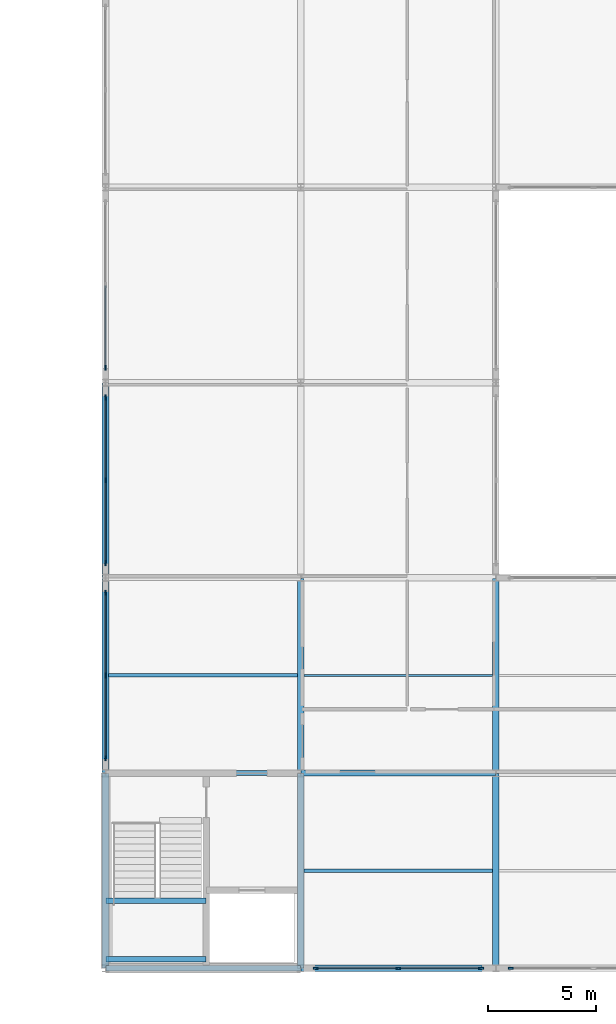
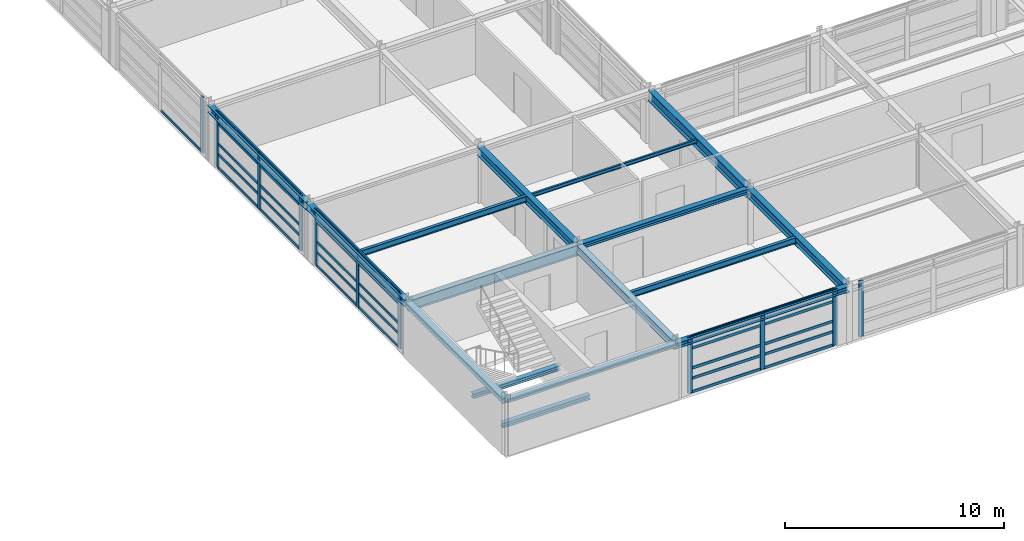
# One storey, part 20 of 91: 42 members, 16 beams, 5 elements without a shape of their own.
"""IFC4 building model written with IfcOpenShell, lengths in metres."""

from ifc_helpers import new_model, si_unit, direction, frame, origin, origin_2d, place, context, subcontext, project, spatial, rectangle, i_section, extrude, material, material_profile, profile_set, type_object, element, aggregate, save


model = new_model("IFC4")

# Units and contexts
model_context = context("Model", 3, precision=1e-05, world=origin(), true_north=direction((0.0, 1.0)))
body_context = subcontext(model_context, "Body", "Model", "MODEL_VIEW")
ifc_project = project(units=[si_unit("LENGTHUNIT", "METRE"), si_unit("AREAUNIT", "SQUARE_METRE"), si_unit("VOLUMEUNIT", "CUBIC_METRE"), si_unit("PLANEANGLEUNIT", "RADIAN"), si_unit("MASSUNIT", "GRAM", prefix="KILO")], contexts=[model_context])

# Site, building, storey
site_placement = place(None, origin())
site = spatial("IfcSite", under=ifc_project, at=site_placement, CompositionType="ELEMENT")
building_placement = place(site_placement, origin())
building = spatial("IfcBuilding", under=site, at=building_placement, Name="Palais des Congres Ocreval", CompositionType="ELEMENT")
storey_placement = place(building_placement, frame((0.0, 0.0, 8.159912109375)))
storey = spatial("IfcBuildingStorey", under=building, at=storey_placement, Name="L02", CompositionType="ELEMENT", Elevation=8.159912109375)

# Beam
ifc_material_1 = material(Name="Steel S355", Category="steel")
ifc_material_profile_1 = material_profile(ifc_material_1, i_section(OverallWidth=0.219970703125, OverallDepth=0.60009765625, WebThickness=0.011962890625, FlangeThickness=0.01904296875, at=origin_2d()), Name="IPE 600")
ifc_profile_set_1 = profile_set([ifc_material_profile_1], Name="Steel S355")
beam_type_1 = type_object("IfcBeamType", Name="Composite Beam IPE 600 Steel S355", PredefinedType="BEAM", material=ifc_profile_set_1)
beam_1_placement = place(storey_placement, frame((108.02001953125, 9.0, 2.800048828125), z_axis=(1.0, 0.0, 0.0), x_axis=(0.0, 1.0, 0.0)))
element("IfcBeam", 1, at=beam_1_placement, inside=storey, type_object=beam_type_1, Name="Beam B06 L02", PredefinedType="BEAM", context=body_context, shape_type="SweptSolid", body=[
    extrude(i_section(OverallWidth=0.219970703125, OverallDepth=0.60009765625, WebThickness=0.011962890625, FlangeThickness=0.01904296875, at=origin_2d()), origin(), (0.0, 0.0, 1.0), 8.9599609375),
])

# Curtain wall, member
ifc_material_2 = material(Name="Anodized bronze aluminium and low-E glass", Category="glass")
curtain_wall_type = type_object("IfcCurtainWallType", Name="Unitised Curtain Wall 7900x3120", PredefinedType="USERDEFINED", material=ifc_material_2)
curtain_wall_1_placement = place(storey_placement, origin())
curtain_wall_1 = element("IfcCurtainWall", 2, at=curtain_wall_1_placement, inside=storey, type_object=curtain_wall_type, Name="Unitised Curtain Wall CW03 L02", ObjectType="UNITISED CURTAIN WALL", PredefinedType="USERDEFINED")
ifc_material_3 = material(Name="Anodized bronze aluminium", Category="aluminium")
ifc_material_profile_2 = material_profile(ifc_material_3, rectangle(XDim=0.074951171875, YDim=0.239990234375, at=origin_2d()), Name="ALU 75x240")
ifc_profile_set_2 = profile_set([ifc_material_profile_2], Name="Anodized bronze aluminium")
member_type_1 = type_object("IfcMemberType", Name="Curtain Wall Mullion ALU 75x240", PredefinedType="MULLION", material=ifc_profile_set_2)
member_1_placement = place(storey_placement, frame((126.6875, 0.0, 0.0), z_axis=(0.0, 0.0, 1.0), x_axis=(0.0, -1.0, 0.0)))
member_1 = element("IfcMember", 3, at=member_1_placement, type_object=member_type_1, Name="Curtain Wall Mullion ML01", PredefinedType="MULLION", context=body_context, shape_type="SweptSolid", body=[
    extrude(rectangle(XDim=0.074951171875, YDim=0.239990234375, at=origin_2d()), origin(), (0.0, 0.0, 1.0), 3.110107421875),
])
aggregate(curtain_wall_1, [member_1])

# Curtain wall, members
curtain_wall_2_placement = place(storey_placement, origin())
curtain_wall_2 = element("IfcCurtainWall", 4, at=curtain_wall_2_placement, inside=storey, type_object=curtain_wall_type, Name="Unitised Curtain Wall CW03 L02", ObjectType="UNITISED CURTAIN WALL", PredefinedType="USERDEFINED")
member_2_placement = place(storey_placement, frame((125.3125, 0.0, 0.0), z_axis=(0.0, 0.0, 1.0), x_axis=(0.0, -1.0, 0.0)))
member_2 = element("IfcMember", 5, at=member_2_placement, type_object=member_type_1, Name="Curtain Wall Mullion ML01", PredefinedType="MULLION", context=body_context, shape_type="SweptSolid", body=[
    extrude(rectangle(XDim=0.074951171875, YDim=0.239990234375, at=origin_2d()), origin(), (0.0, 0.0, 1.0), 3.110107421875),
])
member_3_placement = place(storey_placement, frame((121.5, 0.0, 0.0), z_axis=(0.0, 0.0, 1.0), x_axis=(0.0, -1.0, 0.0)))
member_3 = element("IfcMember", 6, at=member_3_placement, type_object=member_type_1, Name="Curtain Wall Mullion ML01", PredefinedType="MULLION", context=body_context, shape_type="SweptSolid", body=[
    extrude(rectangle(XDim=0.074951171875, YDim=0.239990234375, at=origin_2d()), origin(), (0.0, 0.0, 1.0), 3.110107421875),
])
member_4_placement = place(storey_placement, frame((117.6875, 0.0, 0.0), z_axis=(0.0, 0.0, 1.0), x_axis=(0.0, -1.0, 0.0)))
member_4 = element("IfcMember", 7, at=member_4_placement, type_object=member_type_1, Name="Curtain Wall Mullion ML01", PredefinedType="MULLION", context=body_context, shape_type="SweptSolid", body=[
    extrude(rectangle(XDim=0.074951171875, YDim=0.239990234375, at=origin_2d()), origin(), (0.0, 0.0, 1.0), 3.110107421875),
])

curtain_wall_3_placement = place(storey_placement, origin())
curtain_wall_3 = element("IfcCurtainWall", 8, at=curtain_wall_3_placement, inside=storey, type_object=curtain_wall_type, Name="Unitised Curtain Wall CW03 L02", ObjectType="UNITISED CURTAIN WALL", PredefinedType="USERDEFINED")
member_5_placement = place(storey_placement, frame((108.0, 9.6875, 0.0), z_axis=(0.0, 0.0, 1.0), x_axis=(-1.0, 0.0, 0.0)))
member_5 = element("IfcMember", 9, at=member_5_placement, type_object=member_type_1, Name="Curtain Wall Mullion ML01", PredefinedType="MULLION", context=body_context, shape_type="SweptSolid", body=[
    extrude(rectangle(XDim=0.074951171875, YDim=0.239990234375, at=origin_2d()), origin(), (0.0, 0.0, 1.0), 3.110107421875),
])
member_6_placement = place(storey_placement, frame((108.0, 13.5, 0.0), z_axis=(0.0, 0.0, 1.0), x_axis=(-1.0, 0.0, 0.0)))
member_6 = element("IfcMember", 10, at=member_6_placement, type_object=member_type_1, Name="Curtain Wall Mullion ML01", PredefinedType="MULLION", context=body_context, shape_type="SweptSolid", body=[
    extrude(rectangle(XDim=0.074951171875, YDim=0.239990234375, at=origin_2d()), origin(), (0.0, 0.0, 1.0), 3.110107421875),
])
member_7_placement = place(storey_placement, frame((108.0, 17.3125, 0.0), z_axis=(0.0, 0.0, 1.0), x_axis=(-1.0, 0.0, 0.0)))
member_7 = element("IfcMember", 11, at=member_7_placement, type_object=member_type_1, Name="Curtain Wall Mullion ML01", PredefinedType="MULLION", context=body_context, shape_type="SweptSolid", body=[
    extrude(rectangle(XDim=0.074951171875, YDim=0.239990234375, at=origin_2d()), origin(), (0.0, 0.0, 1.0), 3.110107421875),
])

curtain_wall_4_placement = place(storey_placement, origin())
curtain_wall_4 = element("IfcCurtainWall", 12, at=curtain_wall_4_placement, inside=storey, type_object=curtain_wall_type, Name="Unitised Curtain Wall CW03 L02", ObjectType="UNITISED CURTAIN WALL", PredefinedType="USERDEFINED")
member_8_placement = place(storey_placement, frame((108.0, 18.6875, 0.0), z_axis=(0.0, 0.0, 1.0), x_axis=(-1.0, 0.0, 0.0)))
member_8 = element("IfcMember", 13, at=member_8_placement, type_object=member_type_1, Name="Curtain Wall Mullion ML01", PredefinedType="MULLION", context=body_context, shape_type="SweptSolid", body=[
    extrude(rectangle(XDim=0.074951171875, YDim=0.239990234375, at=origin_2d()), origin(), (0.0, 0.0, 1.0), 3.110107421875),
])
member_9_placement = place(storey_placement, frame((108.0, 22.5, 0.0), z_axis=(0.0, 0.0, 1.0), x_axis=(-1.0, 0.0, 0.0)))
member_9 = element("IfcMember", 14, at=member_9_placement, type_object=member_type_1, Name="Curtain Wall Mullion ML01", PredefinedType="MULLION", context=body_context, shape_type="SweptSolid", body=[
    extrude(rectangle(XDim=0.074951171875, YDim=0.239990234375, at=origin_2d()), origin(), (0.0, 0.0, 1.0), 3.110107421875),
])
member_10_placement = place(storey_placement, frame((108.0, 26.3125, 0.0), z_axis=(0.0, 0.0, 1.0), x_axis=(-1.0, 0.0, 0.0)))
member_10 = element("IfcMember", 15, at=member_10_placement, type_object=member_type_1, Name="Curtain Wall Mullion ML01", PredefinedType="MULLION", context=body_context, shape_type="SweptSolid", body=[
    extrude(rectangle(XDim=0.074951171875, YDim=0.239990234375, at=origin_2d()), origin(), (0.0, 0.0, 1.0), 3.110107421875),
])

# Curtain wall, member
curtain_wall_5_placement = place(storey_placement, origin())
curtain_wall_5 = element("IfcCurtainWall", 16, at=curtain_wall_5_placement, inside=storey, type_object=curtain_wall_type, Name="Unitised Curtain Wall CW03 L02", ObjectType="UNITISED CURTAIN WALL", PredefinedType="USERDEFINED")
member_11_placement = place(storey_placement, frame((108.0, 27.6875, 0.0), z_axis=(0.0, 0.0, 1.0), x_axis=(-1.0, 0.0, 0.0)))
member_11 = element("IfcMember", 17, at=member_11_placement, type_object=member_type_1, Name="Curtain Wall Mullion ML01", PredefinedType="MULLION", context=body_context, shape_type="SweptSolid", body=[
    extrude(rectangle(XDim=0.074951171875, YDim=0.239990234375, at=origin_2d()), origin(), (0.0, 0.0, 1.0), 3.110107421875),
])

# Member
ifc_material_profile_3 = material_profile(ifc_material_3, rectangle(XDim=0.06005859375, YDim=0.14990234375, at=origin_2d()), Name="ALU 60x150")
ifc_profile_set_3 = profile_set([ifc_material_profile_3], Name="Anodized bronze aluminium")
member_type_2 = type_object("IfcMemberType", Name="Curtain Wall Transom ALU 60x150", PredefinedType="USERDEFINED", material=ifc_profile_set_3)
member_12_placement = place(storey_placement, frame((125.27490234375, 0.0, 0.030029296875), z_axis=(-1.0, 0.0, 0.0), x_axis=(0.0, -1.0, 0.0)))
member_12 = element("IfcMember", 18, at=member_12_placement, type_object=member_type_2, Name="Curtain Wall Transom TR01", ObjectType="TRANSOM", PredefinedType="USERDEFINED", context=body_context, shape_type="SweptSolid", body=[
    extrude(rectangle(XDim=0.06005859375, YDim=0.14990234375, at=origin_2d()), origin(), (0.0, 0.0, 1.0), 3.7373046875),
])

member_13_placement = place(storey_placement, frame((125.27490234375, 0.0, 0.780029296875), z_axis=(-1.0, 0.0, 0.0), x_axis=(0.0, -1.0, 0.0)))
member_13 = element("IfcMember", 19, at=member_13_placement, type_object=member_type_2, Name="Curtain Wall Transom TR01", ObjectType="TRANSOM", PredefinedType="USERDEFINED", context=body_context, shape_type="SweptSolid", body=[
    extrude(rectangle(XDim=0.06005859375, YDim=0.14990234375, at=origin_2d()), origin(), (0.0, 0.0, 1.0), 3.7373046875),
])

member_14_placement = place(storey_placement, frame((125.27490234375, 0.0, 1.35302734375), z_axis=(-1.0, 0.0, 0.0), x_axis=(0.0, -1.0, 0.0)))
member_14 = element("IfcMember", 20, at=member_14_placement, type_object=member_type_2, Name="Curtain Wall Transom TR01", ObjectType="TRANSOM", PredefinedType="USERDEFINED", context=body_context, shape_type="SweptSolid", body=[
    extrude(rectangle(XDim=0.06005859375, YDim=0.14990234375, at=origin_2d()), origin(), (0.0, 0.0, 1.0), 3.7373046875),
])

member_15_placement = place(storey_placement, frame((125.27490234375, 0.0, 2.460205078125), z_axis=(-1.0, 0.0, 0.0), x_axis=(0.0, -1.0, 0.0)))
member_15 = element("IfcMember", 21, at=member_15_placement, type_object=member_type_2, Name="Curtain Wall Transom TR01", ObjectType="TRANSOM", PredefinedType="USERDEFINED", context=body_context, shape_type="SweptSolid", body=[
    extrude(rectangle(XDim=0.06005859375, YDim=0.14990234375, at=origin_2d()), origin(), (0.0, 0.0, 1.0), 3.7373046875),
])

member_16_placement = place(storey_placement, frame((125.27490234375, 0.0, 3.080078125), z_axis=(-1.0, 0.0, 0.0), x_axis=(0.0, -1.0, 0.0)))
member_16 = element("IfcMember", 22, at=member_16_placement, type_object=member_type_2, Name="Curtain Wall Transom TR01", ObjectType="TRANSOM", PredefinedType="USERDEFINED", context=body_context, shape_type="SweptSolid", body=[
    extrude(rectangle(XDim=0.06005859375, YDim=0.14990234375, at=origin_2d()), origin(), (0.0, 0.0, 1.0), 3.7373046875),
])

member_17_placement = place(storey_placement, frame((121.46240234375, 0.0, 0.030029296875), z_axis=(-1.0, 0.0, 0.0), x_axis=(0.0, -1.0, 0.0)))
member_17 = element("IfcMember", 23, at=member_17_placement, type_object=member_type_2, Name="Curtain Wall Transom TR01", ObjectType="TRANSOM", PredefinedType="USERDEFINED", context=body_context, shape_type="SweptSolid", body=[
    extrude(rectangle(XDim=0.06005859375, YDim=0.14990234375, at=origin_2d()), origin(), (0.0, 0.0, 1.0), 3.7373046875),
])

member_18_placement = place(storey_placement, frame((121.46240234375, 0.0, 0.780029296875), z_axis=(-1.0, 0.0, 0.0), x_axis=(0.0, -1.0, 0.0)))
member_18 = element("IfcMember", 24, at=member_18_placement, type_object=member_type_2, Name="Curtain Wall Transom TR01", ObjectType="TRANSOM", PredefinedType="USERDEFINED", context=body_context, shape_type="SweptSolid", body=[
    extrude(rectangle(XDim=0.06005859375, YDim=0.14990234375, at=origin_2d()), origin(), (0.0, 0.0, 1.0), 3.7373046875),
])

member_19_placement = place(storey_placement, frame((121.46240234375, 0.0, 1.35302734375), z_axis=(-1.0, 0.0, 0.0), x_axis=(0.0, -1.0, 0.0)))
member_19 = element("IfcMember", 25, at=member_19_placement, type_object=member_type_2, Name="Curtain Wall Transom TR01", ObjectType="TRANSOM", PredefinedType="USERDEFINED", context=body_context, shape_type="SweptSolid", body=[
    extrude(rectangle(XDim=0.06005859375, YDim=0.14990234375, at=origin_2d()), origin(), (0.0, 0.0, 1.0), 3.7373046875),
])

member_20_placement = place(storey_placement, frame((121.46240234375, 0.0, 2.460205078125), z_axis=(-1.0, 0.0, 0.0), x_axis=(0.0, -1.0, 0.0)))
member_20 = element("IfcMember", 26, at=member_20_placement, type_object=member_type_2, Name="Curtain Wall Transom TR01", ObjectType="TRANSOM", PredefinedType="USERDEFINED", context=body_context, shape_type="SweptSolid", body=[
    extrude(rectangle(XDim=0.06005859375, YDim=0.14990234375, at=origin_2d()), origin(), (0.0, 0.0, 1.0), 3.7373046875),
])

member_21_placement = place(storey_placement, frame((121.46240234375, 0.0, 3.080078125), z_axis=(-1.0, 0.0, 0.0), x_axis=(0.0, -1.0, 0.0)))
member_21 = element("IfcMember", 27, at=member_21_placement, type_object=member_type_2, Name="Curtain Wall Transom TR01", ObjectType="TRANSOM", PredefinedType="USERDEFINED", context=body_context, shape_type="SweptSolid", body=[
    extrude(rectangle(XDim=0.06005859375, YDim=0.14990234375, at=origin_2d()), origin(), (0.0, 0.0, 1.0), 3.7373046875),
])

aggregate(curtain_wall_2, [member_2, member_3, member_4, member_12, member_13, member_14, member_15, member_16, member_17, member_18, member_19, member_20, member_21])

member_22_placement = place(storey_placement, frame((108.0, 9.72509765625, 0.030029296875), z_axis=(0.0, 1.0, 0.0), x_axis=(-1.0, 0.0, 0.0)))
member_22 = element("IfcMember", 28, at=member_22_placement, type_object=member_type_2, Name="Curtain Wall Transom TR01", ObjectType="TRANSOM", PredefinedType="USERDEFINED", context=body_context, shape_type="SweptSolid", body=[
    extrude(rectangle(XDim=0.06005859375, YDim=0.14990234375, at=origin_2d()), origin(), (0.0, 0.0, 1.0), 3.7373046875),
])

member_23_placement = place(storey_placement, frame((108.0, 9.72509765625, 0.780029296875), z_axis=(0.0, 1.0, 0.0), x_axis=(-1.0, 0.0, 0.0)))
member_23 = element("IfcMember", 29, at=member_23_placement, type_object=member_type_2, Name="Curtain Wall Transom TR01", ObjectType="TRANSOM", PredefinedType="USERDEFINED", context=body_context, shape_type="SweptSolid", body=[
    extrude(rectangle(XDim=0.06005859375, YDim=0.14990234375, at=origin_2d()), origin(), (0.0, 0.0, 1.0), 3.7373046875),
])

member_24_placement = place(storey_placement, frame((108.0, 9.72509765625, 1.35302734375), z_axis=(0.0, 1.0, 0.0), x_axis=(-1.0, 0.0, 0.0)))
member_24 = element("IfcMember", 30, at=member_24_placement, type_object=member_type_2, Name="Curtain Wall Transom TR01", ObjectType="TRANSOM", PredefinedType="USERDEFINED", context=body_context, shape_type="SweptSolid", body=[
    extrude(rectangle(XDim=0.06005859375, YDim=0.14990234375, at=origin_2d()), origin(), (0.0, 0.0, 1.0), 3.7373046875),
])

member_25_placement = place(storey_placement, frame((108.0, 9.72509765625, 2.460205078125), z_axis=(0.0, 1.0, 0.0), x_axis=(-1.0, 0.0, 0.0)))
member_25 = element("IfcMember", 31, at=member_25_placement, type_object=member_type_2, Name="Curtain Wall Transom TR01", ObjectType="TRANSOM", PredefinedType="USERDEFINED", context=body_context, shape_type="SweptSolid", body=[
    extrude(rectangle(XDim=0.06005859375, YDim=0.14990234375, at=origin_2d()), origin(), (0.0, 0.0, 1.0), 3.7373046875),
])

member_26_placement = place(storey_placement, frame((108.0, 9.72509765625, 3.080078125), z_axis=(0.0, 1.0, 0.0), x_axis=(-1.0, 0.0, 0.0)))
member_26 = element("IfcMember", 32, at=member_26_placement, type_object=member_type_2, Name="Curtain Wall Transom TR01", ObjectType="TRANSOM", PredefinedType="USERDEFINED", context=body_context, shape_type="SweptSolid", body=[
    extrude(rectangle(XDim=0.06005859375, YDim=0.14990234375, at=origin_2d()), origin(), (0.0, 0.0, 1.0), 3.7373046875),
])

member_27_placement = place(storey_placement, frame((108.0, 13.53759765625, 0.030029296875), z_axis=(0.0, 1.0, 0.0), x_axis=(-1.0, 0.0, 0.0)))
member_27 = element("IfcMember", 33, at=member_27_placement, type_object=member_type_2, Name="Curtain Wall Transom TR01", ObjectType="TRANSOM", PredefinedType="USERDEFINED", context=body_context, shape_type="SweptSolid", body=[
    extrude(rectangle(XDim=0.06005859375, YDim=0.14990234375, at=origin_2d()), origin(), (0.0, 0.0, 1.0), 3.7373046875),
])

member_28_placement = place(storey_placement, frame((108.0, 13.53759765625, 0.780029296875), z_axis=(0.0, 1.0, 0.0), x_axis=(-1.0, 0.0, 0.0)))
member_28 = element("IfcMember", 34, at=member_28_placement, type_object=member_type_2, Name="Curtain Wall Transom TR01", ObjectType="TRANSOM", PredefinedType="USERDEFINED", context=body_context, shape_type="SweptSolid", body=[
    extrude(rectangle(XDim=0.06005859375, YDim=0.14990234375, at=origin_2d()), origin(), (0.0, 0.0, 1.0), 3.7373046875),
])

member_29_placement = place(storey_placement, frame((108.0, 13.53759765625, 1.35302734375), z_axis=(0.0, 1.0, 0.0), x_axis=(-1.0, 0.0, 0.0)))
member_29 = element("IfcMember", 35, at=member_29_placement, type_object=member_type_2, Name="Curtain Wall Transom TR01", ObjectType="TRANSOM", PredefinedType="USERDEFINED", context=body_context, shape_type="SweptSolid", body=[
    extrude(rectangle(XDim=0.06005859375, YDim=0.14990234375, at=origin_2d()), origin(), (0.0, 0.0, 1.0), 3.7373046875),
])

member_30_placement = place(storey_placement, frame((108.0, 13.53759765625, 2.460205078125), z_axis=(0.0, 1.0, 0.0), x_axis=(-1.0, 0.0, 0.0)))
member_30 = element("IfcMember", 36, at=member_30_placement, type_object=member_type_2, Name="Curtain Wall Transom TR01", ObjectType="TRANSOM", PredefinedType="USERDEFINED", context=body_context, shape_type="SweptSolid", body=[
    extrude(rectangle(XDim=0.06005859375, YDim=0.14990234375, at=origin_2d()), origin(), (0.0, 0.0, 1.0), 3.7373046875),
])

member_31_placement = place(storey_placement, frame((108.0, 13.53759765625, 3.080078125), z_axis=(0.0, 1.0, 0.0), x_axis=(-1.0, 0.0, 0.0)))
member_31 = element("IfcMember", 37, at=member_31_placement, type_object=member_type_2, Name="Curtain Wall Transom TR01", ObjectType="TRANSOM", PredefinedType="USERDEFINED", context=body_context, shape_type="SweptSolid", body=[
    extrude(rectangle(XDim=0.06005859375, YDim=0.14990234375, at=origin_2d()), origin(), (0.0, 0.0, 1.0), 3.7373046875),
])

aggregate(curtain_wall_3, [member_5, member_6, member_7, member_22, member_23, member_24, member_25, member_26, member_27, member_28, member_29, member_30, member_31])

member_32_placement = place(storey_placement, frame((108.0, 18.72509765625, 0.030029296875), z_axis=(0.0, 1.0, 0.0), x_axis=(-1.0, 0.0, 0.0)))
member_32 = element("IfcMember", 38, at=member_32_placement, type_object=member_type_2, Name="Curtain Wall Transom TR01", ObjectType="TRANSOM", PredefinedType="USERDEFINED", context=body_context, shape_type="SweptSolid", body=[
    extrude(rectangle(XDim=0.06005859375, YDim=0.14990234375, at=origin_2d()), origin(), (0.0, 0.0, 1.0), 3.7373046875),
])

member_33_placement = place(storey_placement, frame((108.0, 18.72509765625, 0.780029296875), z_axis=(0.0, 1.0, 0.0), x_axis=(-1.0, 0.0, 0.0)))
member_33 = element("IfcMember", 39, at=member_33_placement, type_object=member_type_2, Name="Curtain Wall Transom TR01", ObjectType="TRANSOM", PredefinedType="USERDEFINED", context=body_context, shape_type="SweptSolid", body=[
    extrude(rectangle(XDim=0.06005859375, YDim=0.14990234375, at=origin_2d()), origin(), (0.0, 0.0, 1.0), 3.7373046875),
])

member_34_placement = place(storey_placement, frame((108.0, 18.72509765625, 1.35302734375), z_axis=(0.0, 1.0, 0.0), x_axis=(-1.0, 0.0, 0.0)))
member_34 = element("IfcMember", 40, at=member_34_placement, type_object=member_type_2, Name="Curtain Wall Transom TR01", ObjectType="TRANSOM", PredefinedType="USERDEFINED", context=body_context, shape_type="SweptSolid", body=[
    extrude(rectangle(XDim=0.06005859375, YDim=0.14990234375, at=origin_2d()), origin(), (0.0, 0.0, 1.0), 3.7373046875),
])

member_35_placement = place(storey_placement, frame((108.0, 18.72509765625, 2.460205078125), z_axis=(0.0, 1.0, 0.0), x_axis=(-1.0, 0.0, 0.0)))
member_35 = element("IfcMember", 41, at=member_35_placement, type_object=member_type_2, Name="Curtain Wall Transom TR01", ObjectType="TRANSOM", PredefinedType="USERDEFINED", context=body_context, shape_type="SweptSolid", body=[
    extrude(rectangle(XDim=0.06005859375, YDim=0.14990234375, at=origin_2d()), origin(), (0.0, 0.0, 1.0), 3.7373046875),
])

member_36_placement = place(storey_placement, frame((108.0, 18.72509765625, 3.080078125), z_axis=(0.0, 1.0, 0.0), x_axis=(-1.0, 0.0, 0.0)))
member_36 = element("IfcMember", 42, at=member_36_placement, type_object=member_type_2, Name="Curtain Wall Transom TR01", ObjectType="TRANSOM", PredefinedType="USERDEFINED", context=body_context, shape_type="SweptSolid", body=[
    extrude(rectangle(XDim=0.06005859375, YDim=0.14990234375, at=origin_2d()), origin(), (0.0, 0.0, 1.0), 3.7373046875),
])

member_37_placement = place(storey_placement, frame((108.0, 22.53759765625, 0.030029296875), z_axis=(0.0, 1.0, 0.0), x_axis=(-1.0, 0.0, 0.0)))
member_37 = element("IfcMember", 43, at=member_37_placement, type_object=member_type_2, Name="Curtain Wall Transom TR01", ObjectType="TRANSOM", PredefinedType="USERDEFINED", context=body_context, shape_type="SweptSolid", body=[
    extrude(rectangle(XDim=0.06005859375, YDim=0.14990234375, at=origin_2d()), origin(), (0.0, 0.0, 1.0), 3.7373046875),
])

member_38_placement = place(storey_placement, frame((108.0, 22.53759765625, 0.780029296875), z_axis=(0.0, 1.0, 0.0), x_axis=(-1.0, 0.0, 0.0)))
member_38 = element("IfcMember", 44, at=member_38_placement, type_object=member_type_2, Name="Curtain Wall Transom TR01", ObjectType="TRANSOM", PredefinedType="USERDEFINED", context=body_context, shape_type="SweptSolid", body=[
    extrude(rectangle(XDim=0.06005859375, YDim=0.14990234375, at=origin_2d()), origin(), (0.0, 0.0, 1.0), 3.7373046875),
])

member_39_placement = place(storey_placement, frame((108.0, 22.53759765625, 1.35302734375), z_axis=(0.0, 1.0, 0.0), x_axis=(-1.0, 0.0, 0.0)))
member_39 = element("IfcMember", 45, at=member_39_placement, type_object=member_type_2, Name="Curtain Wall Transom TR01", ObjectType="TRANSOM", PredefinedType="USERDEFINED", context=body_context, shape_type="SweptSolid", body=[
    extrude(rectangle(XDim=0.06005859375, YDim=0.14990234375, at=origin_2d()), origin(), (0.0, 0.0, 1.0), 3.7373046875),
])

member_40_placement = place(storey_placement, frame((108.0, 22.53759765625, 2.460205078125), z_axis=(0.0, 1.0, 0.0), x_axis=(-1.0, 0.0, 0.0)))
member_40 = element("IfcMember", 46, at=member_40_placement, type_object=member_type_2, Name="Curtain Wall Transom TR01", ObjectType="TRANSOM", PredefinedType="USERDEFINED", context=body_context, shape_type="SweptSolid", body=[
    extrude(rectangle(XDim=0.06005859375, YDim=0.14990234375, at=origin_2d()), origin(), (0.0, 0.0, 1.0), 3.7373046875),
])

member_41_placement = place(storey_placement, frame((108.0, 22.53759765625, 3.080078125), z_axis=(0.0, 1.0, 0.0), x_axis=(-1.0, 0.0, 0.0)))
member_41 = element("IfcMember", 47, at=member_41_placement, type_object=member_type_2, Name="Curtain Wall Transom TR01", ObjectType="TRANSOM", PredefinedType="USERDEFINED", context=body_context, shape_type="SweptSolid", body=[
    extrude(rectangle(XDim=0.06005859375, YDim=0.14990234375, at=origin_2d()), origin(), (0.0, 0.0, 1.0), 3.7373046875),
])

aggregate(curtain_wall_4, [member_8, member_9, member_10, member_32, member_33, member_34, member_35, member_36, member_37, member_38, member_39, member_40, member_41])

member_42_placement = place(storey_placement, frame((108.0, 27.72509765625, 0.030029296875), z_axis=(0.0, 1.0, 0.0), x_axis=(-1.0, 0.0, 0.0)))
member_42 = element("IfcMember", 48, at=member_42_placement, type_object=member_type_2, Name="Curtain Wall Transom TR01", ObjectType="TRANSOM", PredefinedType="USERDEFINED", context=body_context, shape_type="SweptSolid", body=[
    extrude(rectangle(XDim=0.06005859375, YDim=0.14990234375, at=origin_2d()), origin(), (0.0, 0.0, 1.0), 3.7373046875),
])

aggregate(curtain_wall_5, [member_11, member_42])

# Beams
ifc_material_profile_4 = material_profile(ifc_material_1, i_section(OverallWidth=0.260009765625, OverallDepth=0.260009765625, WebThickness=0.010009765625, FlangeThickness=0.017578125, at=origin_2d()), Name="HEB 260")
ifc_profile_set_4 = profile_set([ifc_material_profile_4], Name="Steel S355")
beam_type_2 = type_object("IfcBeamType", Name="Opening Lintel HEB 260 Steel S355", PredefinedType="LINTEL", material=ifc_profile_set_4)
for number, where, z_axis, x_axis, name in (
    (49, (108.02001953125, 0.419921875, 1.35009765625), (1.0, 0.0, 0.0), (0.0, 1.0, 0.0), "Stair Landing Support Beam ST09 L02-1"),
    (50, (108.02001953125, 3.1201171875, 1.35009765625), (1.0, 0.0, 0.0), (0.0, 1.0, 0.0), "Stair Landing Support Beam ST09 L02-2"),
):
    element("IfcBeam", number, at=place(storey_placement, frame(where, z_axis=z_axis, x_axis=x_axis)), inside=storey, type_object=beam_type_2, Name=name, PredefinedType="LINTEL", context=body_context, shape_type="SweptSolid", body=[
        extrude(i_section(OverallWidth=0.260009765625, OverallDepth=0.260009765625, WebThickness=0.010009765625, FlangeThickness=0.017578125, at=origin_2d()), origin(), (0.0, 0.0, 1.0), 4.60986328125),
    ])
ifc_material_profile_5 = material_profile(ifc_material_1, i_section(OverallWidth=0.239990234375, OverallDepth=0.22998046875, WebThickness=0.007568359375, FlangeThickness=0.011962890625, at=origin_2d()), Name="HEA 240")
ifc_profile_set_5 = profile_set([ifc_material_profile_5], Name="Steel S355")
beam_type_3 = type_object("IfcBeamType", Name="Perimeter Spandrel HEA 240 Steel S355", PredefinedType="SPANDREL", material=ifc_profile_set_5)
beam_2_placement = place(storey_placement, frame((108.02001953125, 0.0, 2.985107421875), z_axis=(1.0, 0.0, 0.0), x_axis=(0.0, 1.0, 0.0)))
element("IfcBeam", 51, at=beam_2_placement, inside=storey, type_object=beam_type_3, Name="Beam SP01 L02", PredefinedType="SPANDREL", context=body_context, shape_type="SweptSolid", body=[
    extrude(i_section(OverallWidth=0.239990234375, OverallDepth=0.22998046875, WebThickness=0.007568359375, FlangeThickness=0.011962890625, at=origin_2d()), origin(), (0.0, 0.0, 1.0), 8.9599609375),
])
ifc_material_profile_6 = material_profile(ifc_material_1, i_section(OverallWidth=0.300048828125, OverallDepth=0.300048828125, WebThickness=0.010986328125, FlangeThickness=0.01904296875, at=origin_2d()), Name="HEB 300")
ifc_profile_set_6 = profile_set([ifc_material_profile_6], Name="Steel S355")
beam_type_4 = type_object("IfcBeamType", Name="Perimeter Spandrel HEB 300 Steel S355", PredefinedType="SPANDREL", material=ifc_profile_set_6)
for number, where, z_axis, x_axis, name in (
    (52, (108.0, 0.02001953125, 2.9501953125), (0.0, 1.0, 0.0), (-1.0, 0.0, 0.0), "Girder SP02 L02"),
    (53, (117.02001953125, 0.0, 2.9501953125), (1.0, 0.0, 0.0), (0.0, 1.0, 0.0), "Beam SP02 L02"),
):
    element("IfcBeam", number, at=place(storey_placement, frame(where, z_axis=z_axis, x_axis=x_axis)), inside=storey, type_object=beam_type_4, Name=name, PredefinedType="SPANDREL", context=body_context, shape_type="SweptSolid", body=[
        extrude(i_section(OverallWidth=0.300048828125, OverallDepth=0.300048828125, WebThickness=0.010986328125, FlangeThickness=0.01904296875, at=origin_2d()), origin(), (0.0, 0.0, 1.0), 8.9599609375),
    ])
ifc_material_profile_7 = material_profile(ifc_material_1, i_section(OverallWidth=0.300048828125, OverallDepth=0.360107421875, WebThickness=0.012451171875, FlangeThickness=0.0224609375, at=origin_2d()), Name="HEB 360")
ifc_profile_set_7 = profile_set([ifc_material_profile_7], Name="Steel S355")
beam_type_5 = type_object("IfcBeamType", Name="Perimeter Spandrel HEB 360 Steel S355", PredefinedType="SPANDREL", material=ifc_profile_set_7)
beam_3_placement = place(storey_placement, frame((108.0, 9.02001953125, 2.920166015625), z_axis=(0.0, 1.0, 0.0), x_axis=(-1.0, 0.0, 0.0)))
element("IfcBeam", 54, at=beam_3_placement, inside=storey, type_object=beam_type_5, Name="Girder SP03 L02", PredefinedType="SPANDREL", context=body_context, shape_type="SweptSolid", body=[
    extrude(i_section(OverallWidth=0.300048828125, OverallDepth=0.360107421875, WebThickness=0.012451171875, FlangeThickness=0.0224609375, at=origin_2d()), origin(), (0.0, 0.0, 1.0), 8.9599609375),
])
ifc_material_profile_8 = material_profile(ifc_material_1, i_section(OverallWidth=0.300048828125, OverallDepth=0.39990234375, WebThickness=0.013427734375, FlangeThickness=0.02392578125, at=origin_2d()), Name="HEB 400")
ifc_profile_set_8 = profile_set([ifc_material_profile_8], Name="Steel S355")
beam_type_6 = type_object("IfcBeamType", Name="Perimeter Spandrel HEB 400 Steel S355", PredefinedType="SPANDREL", material=ifc_profile_set_8)
beam_4_placement = place(storey_placement, frame((108.0, 18.02001953125, 2.900146484375), z_axis=(0.0, 1.0, 0.0), x_axis=(-1.0, 0.0, 0.0)))
element("IfcBeam", 55, at=beam_4_placement, inside=storey, type_object=beam_type_6, Name="Girder SP04 L02", PredefinedType="SPANDREL", context=body_context, shape_type="SweptSolid", body=[
    extrude(i_section(OverallWidth=0.300048828125, OverallDepth=0.39990234375, WebThickness=0.013427734375, FlangeThickness=0.02392578125, at=origin_2d()), origin(), (0.0, 0.0, 1.0), 8.9599609375),
])
ifc_material_profile_9 = material_profile(ifc_material_1, i_section(OverallWidth=0.280029296875, OverallDepth=0.27001953125, WebThickness=0.008056640625, FlangeThickness=0.012939453125, at=origin_2d()), Name="HEA 280")
ifc_profile_set_9 = profile_set([ifc_material_profile_9], Name="Steel S355")
beam_type_7 = type_object("IfcBeamType", Name="Primary Beam HEA 280 Steel S355", PredefinedType="BEAM", material=ifc_profile_set_9)
beam_5_placement = place(storey_placement, frame((117.02001953125, 9.0, 2.965087890625), z_axis=(1.0, 0.0, 0.0), x_axis=(0.0, 1.0, 0.0)))
element("IfcBeam", 56, at=beam_5_placement, inside=storey, type_object=beam_type_7, Name="Beam B07 L02", PredefinedType="BEAM", context=body_context, shape_type="SweptSolid", body=[
    extrude(i_section(OverallWidth=0.280029296875, OverallDepth=0.27001953125, WebThickness=0.008056640625, FlangeThickness=0.012939453125, at=origin_2d()), origin(), (0.0, 0.0, 1.0), 8.9599609375),
])
ifc_material_profile_10 = material_profile(ifc_material_1, i_section(OverallWidth=0.300048828125, OverallDepth=0.43994140625, WebThickness=0.011474609375, FlangeThickness=0.02099609375, at=origin_2d()), Name="HEA 450")
ifc_profile_set_10 = profile_set([ifc_material_profile_10], Name="Steel S355")
beam_type_8 = type_object("IfcBeamType", Name="Primary Beam HEA 450 Steel S355", PredefinedType="BEAM", material=ifc_profile_set_10)
beam_6_placement = place(storey_placement, frame((117.0, 0.02001953125, 2.880126953125), z_axis=(0.0, 1.0, 0.0), x_axis=(-1.0, 0.0, 0.0)))
element("IfcBeam", 57, at=beam_6_placement, inside=storey, type_object=beam_type_8, Name="Girder B11 L02", PredefinedType="BEAM", context=body_context, shape_type="SweptSolid", body=[
    extrude(i_section(OverallWidth=0.300048828125, OverallDepth=0.43994140625, WebThickness=0.011474609375, FlangeThickness=0.02099609375, at=origin_2d()), origin(), (0.0, 0.0, 1.0), 8.9599609375),
])
ifc_material_profile_11 = material_profile(ifc_material_1, i_section(OverallWidth=0.300048828125, OverallDepth=0.489990234375, WebThickness=0.011962890625, FlangeThickness=0.02294921875, at=origin_2d()), Name="HEA 500")
ifc_profile_set_11 = profile_set([ifc_material_profile_11], Name="Steel S355")
beam_type_9 = type_object("IfcBeamType", Name="Primary Beam HEA 500 Steel S355", PredefinedType="BEAM", material=ifc_profile_set_11)
for number, where, z_axis, x_axis, name in (
    (58, (117.0, 9.02001953125, 2.85498046875), (0.0, 1.0, 0.0), (-1.0, 0.0, 0.0), "Girder B12 L02"),
    (59, (126.0, 0.02001953125, 2.85498046875), (0.0, 1.0, 0.0), (-1.0, 0.0, 0.0), "Girder B12 L02"),
):
    element("IfcBeam", number, at=place(storey_placement, frame(where, z_axis=z_axis, x_axis=x_axis)), inside=storey, type_object=beam_type_9, Name=name, PredefinedType="BEAM", context=body_context, shape_type="SweptSolid", body=[
        extrude(i_section(OverallWidth=0.300048828125, OverallDepth=0.489990234375, WebThickness=0.011962890625, FlangeThickness=0.02294921875, at=origin_2d()), origin(), (0.0, 0.0, 1.0), 8.9599609375),
    ])
ifc_material_profile_12 = material_profile(ifc_material_1, i_section(OverallWidth=0.300048828125, OverallDepth=0.590087890625, WebThickness=0.012939453125, FlangeThickness=0.02490234375, at=origin_2d()), Name="HEA 600")
ifc_profile_set_12 = profile_set([ifc_material_profile_12], Name="Steel S355")
beam_type_10 = type_object("IfcBeamType", Name="Primary Girder HEA 600 Steel S355", PredefinedType="BEAM", material=ifc_profile_set_12)
beam_7_placement = place(storey_placement, frame((126.0, 9.02001953125, 2.80517578125), z_axis=(0.0, 1.0, 0.0), x_axis=(-1.0, 0.0, 0.0)))
element("IfcBeam", 60, at=beam_7_placement, inside=storey, type_object=beam_type_10, Name="Girder B13 L02", PredefinedType="BEAM", context=body_context, shape_type="SweptSolid", body=[
    extrude(i_section(OverallWidth=0.300048828125, OverallDepth=0.590087890625, WebThickness=0.012939453125, FlangeThickness=0.02490234375, at=origin_2d()), origin(), (0.0, 0.0, 1.0), 8.9599609375),
])
ifc_material_profile_13 = material_profile(ifc_material_1, i_section(OverallWidth=0.10009765625, OverallDepth=0.199951171875, WebThickness=0.005615234375, FlangeThickness=0.008544921875, at=origin_2d()), Name="IPE 200")
ifc_profile_set_13 = profile_set([ifc_material_profile_13], Name="Steel S355")
beam_type_11 = type_object("IfcBeamType", Name="Secondary Joist IPE 200 Steel S355", PredefinedType="JOIST", material=ifc_profile_set_13)
beam_8_placement = place(storey_placement, frame((117.14990234375, 13.5, 3.0), z_axis=(1.0, 0.0, 0.0), x_axis=(0.0, 1.0, 0.0)))
element("IfcBeam", 61, at=beam_8_placement, inside=storey, type_object=beam_type_11, Name="Secondary Joist J01 L02", PredefinedType="JOIST", context=body_context, shape_type="SweptSolid", body=[
    extrude(i_section(OverallWidth=0.10009765625, OverallDepth=0.199951171875, WebThickness=0.005615234375, FlangeThickness=0.008544921875, at=origin_2d()), origin(), (0.0, 0.0, 1.0), 8.7001953125),
])
ifc_material_profile_14 = material_profile(ifc_material_1, i_section(OverallWidth=0.159912109375, OverallDepth=0.330078125, WebThickness=0.007568359375, FlangeThickness=0.011474609375, at=origin_2d()), Name="IPE 330")
ifc_profile_set_14 = profile_set([ifc_material_profile_14], Name="Steel S355")
beam_type_12 = type_object("IfcBeamType", Name="Secondary Joist IPE 330 Steel S355", PredefinedType="JOIST", material=ifc_profile_set_14)
for number, where, z_axis, x_axis, name in (
    (62, (108.14990234375, 13.5, 2.93505859375), (1.0, 0.0, 0.0), (0.0, 1.0, 0.0), "Secondary Joist J06 L02"),
    (63, (117.14990234375, 4.5, 2.93505859375), (1.0, 0.0, 0.0), (0.0, 1.0, 0.0), "Secondary Joist J06 L02"),
):
    element("IfcBeam", number, at=place(storey_placement, frame(where, z_axis=z_axis, x_axis=x_axis)), inside=storey, type_object=beam_type_12, Name=name, PredefinedType="JOIST", context=body_context, shape_type="SweptSolid", body=[
        extrude(i_section(OverallWidth=0.159912109375, OverallDepth=0.330078125, WebThickness=0.007568359375, FlangeThickness=0.011474609375, at=origin_2d()), origin(), (0.0, 0.0, 1.0), 8.7001953125),
    ])

save(model, "model.ifc")
